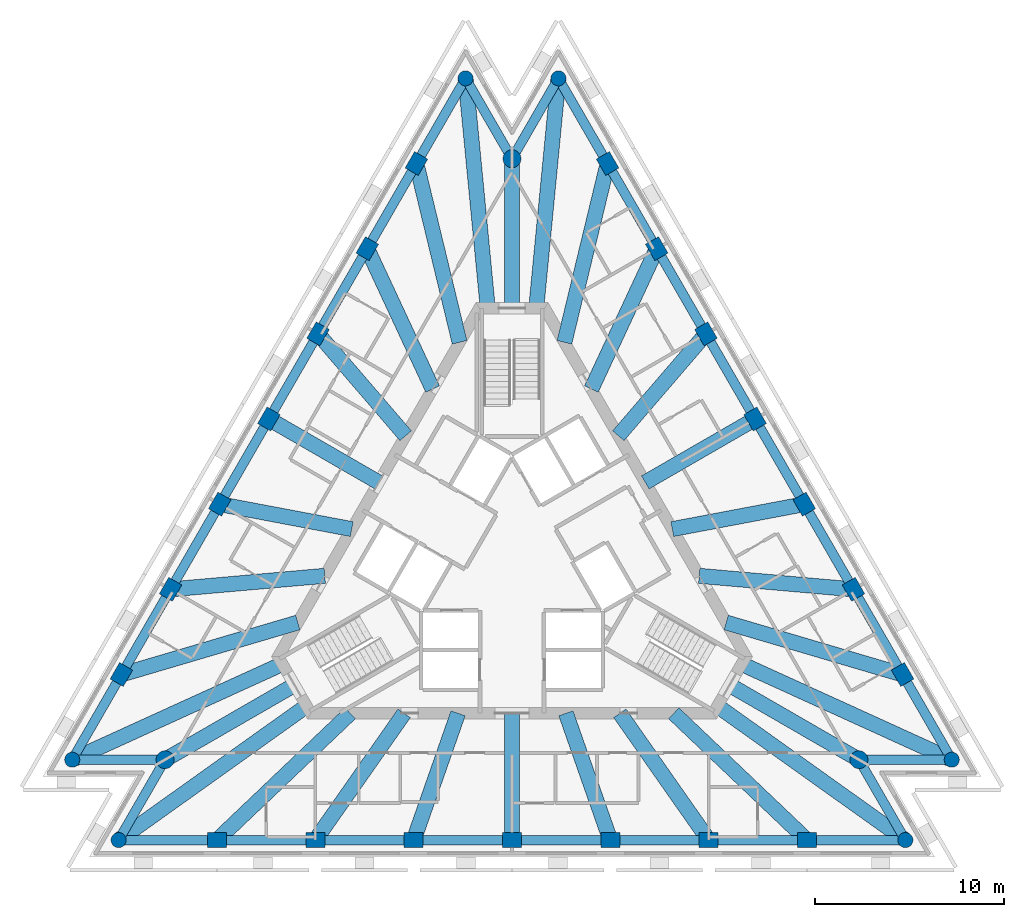
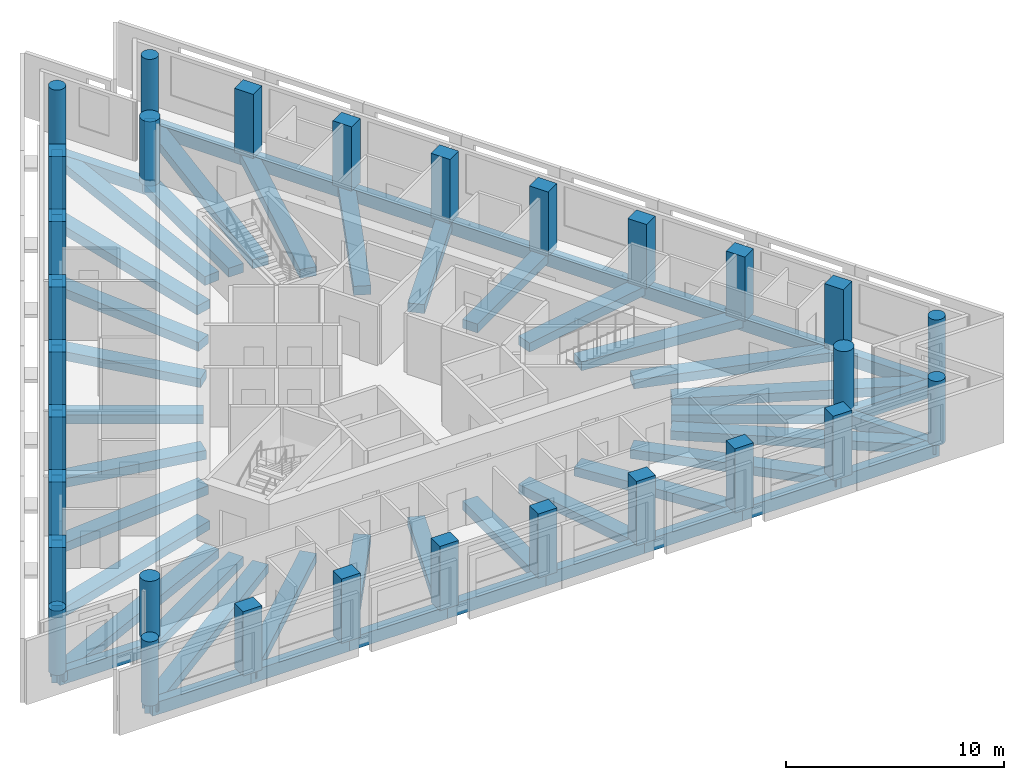
# One storey, part 1 of 10: 60 beams, 30 columns.
"""IFC4 building model written with IfcOpenShell, lengths in metres."""

from ifc_helpers import new_model, si_unit, direction, frame, origin, origin_2d, place, context, subcontext, project, spatial, rectangle, circle, extrude, material, material_profile, profile_set, type_object, element, save


model = new_model("IFC4")

# Units and contexts
model_context = context("Model", 3, precision=1e-05, world=origin(), true_north=direction((0.0, 1.0)))
body_context = subcontext(model_context, "Body", "Model", "MODEL_VIEW")
ifc_project = project(units=[si_unit("LENGTHUNIT", "METRE"), si_unit("AREAUNIT", "SQUARE_METRE"), si_unit("VOLUMEUNIT", "CUBIC_METRE"), si_unit("PLANEANGLEUNIT", "RADIAN"), si_unit("MASSUNIT", "GRAM", prefix="KILO")], contexts=[model_context])

# Site, building, storey
site_placement = place(None, origin())
site = spatial("IfcSite", under=ifc_project, at=site_placement, CompositionType="ELEMENT")
building_placement = place(site_placement, origin())
building = spatial("IfcBuilding", under=site, at=building_placement, Name="Triada Interchange Tower", CompositionType="ELEMENT")
storey_placement = place(building_placement, frame((0.0, 0.0, 311.5)))
storey = spatial("IfcBuildingStorey", under=building, at=storey_placement, Name="L74", CompositionType="ELEMENT", Elevation=311.5)

# Columns
ifc_material_1 = material(Name="Concrete C40/50", Category="concrete")
ifc_material_profile_1 = material_profile(ifc_material_1, rectangle(XDim=1.0, YDim=0.800048828125, at=origin_2d()), Name="RC 1000x800")
ifc_profile_set_1 = profile_set([ifc_material_profile_1], Name="Concrete C40/50")
column_type_1 = type_object("IfcColumnType", Name="Column D face RC 1000x800", PredefinedType="COLUMN", material=ifc_profile_set_1)
for number, where, z_axis, x_axis, name in (
    (1, (-5.06103515625, 20.9599609375, -0.300048828125), (0.0, 0.0, 1.0), (0.5, 0.866025403784, 0.0), "Column CD02 L74"),
    (2, (-7.6640625, 16.450927734375, -0.300048828125), (0.0, 0.0, 1.0), (0.5, 0.866025403784, 0.0), "Column CD03 L74"),
    (3, (-10.26806640625, 11.94091796875, -0.300048828125), (0.0, 0.0, 1.0), (0.5, 0.866025403784, 0.0), "Column CD04 L74"),
    (4, (-12.8720703125, 7.431884765625, -0.300048828125), (0.0, 0.0, 1.0), (0.5, 0.866025403784, 0.0), "Column CD05 L74"),
    (5, (-15.47509765625, 2.922119140625, -0.300048828125), (0.0, 0.0, 1.0), (0.5, 0.866025403784, 0.0), "Column CD06 L74"),
    (6, (-18.0791015625, -1.587890625, -0.300048828125), (0.0, 0.0, 1.0), (0.5, 0.866025403784, 0.0), "Column CD07 L74"),
    (7, (-20.681884765625, -6.096923828125, -0.300048828125), (0.0, 0.0, 1.0), (0.5, 0.866025403784, 0.0), "Column CD08 L74"),
    (8, (-15.6220703125, -14.863037109375, -0.300048828125), (0.0, 0.0, 1.0), (1.0, 0.0, 0.0), "Column CD11 L74"),
    (9, (-10.4140625, -14.863037109375, -0.300048828125), (0.0, 0.0, 1.0), (1.0, 0.0, 0.0), "Column CD12 L74"),
    (10, (-5.20703125, -14.863037109375, -0.300048828125), (0.0, 0.0, 1.0), (1.0, 0.0, 0.0), "Column CD13 L74"),
    (11, (0.0, -14.863037109375, -0.300048828125), (0.0, 0.0, 1.0), (1.0, 0.0, 0.0), "Column CD14 L74"),
    (12, (5.20703125, -14.863037109375, -0.300048828125), (0.0, 0.0, 1.0), (1.0, 0.0, 0.0), "Column CD15 L74"),
    (13, (10.4140625, -14.863037109375, -0.300048828125), (0.0, 0.0, 1.0), (1.0, 0.0, 0.0), "Column CD16 L74"),
    (14, (15.6220703125, -14.863037109375, -0.300048828125), (0.0, 0.0, 1.0), (1.0, 0.0, 0.0), "Column CD17 L74"),
    (15, (20.681884765625, -6.096923828125, -0.300048828125), (0.0, 0.0, 1.0), (-0.5, 0.866025403784, 0.0), "Column CD20 L74"),
    (16, (18.0791015625, -1.587890625, -0.300048828125), (0.0, 0.0, 1.0), (-0.5, 0.866025403784, 0.0), "Column CD21 L74"),
    (17, (15.47509765625, 2.922119140625, -0.300048828125), (0.0, 0.0, 1.0), (-0.5, 0.866025403784, 0.0), "Column CD22 L74"),
    (18, (12.8720703125, 7.431884765625, -0.300048828125), (0.0, 0.0, 1.0), (-0.5, 0.866025403784, 0.0), "Column CD23 L74"),
    (19, (10.26806640625, 11.94091796875, -0.300048828125), (0.0, 0.0, 1.0), (-0.5, 0.866025403784, 0.0), "Column CD24 L74"),
    (20, (7.6640625, 16.450927734375, -0.300048828125), (0.0, 0.0, 1.0), (-0.5, 0.866025403784, 0.0), "Column CD25 L74"),
    (21, (5.06103515625, 20.9599609375, -0.300048828125), (0.0, 0.0, 1.0), (-0.5, 0.866025403784, 0.0), "Column CD26 L74"),
):
    element("IfcColumn", number, at=place(storey_placement, frame(where, z_axis=z_axis, x_axis=x_axis)), inside=storey, type_object=column_type_1, Name=name, PredefinedType="COLUMN", context=body_context, shape_type="SweptSolid", body=[
        extrude(rectangle(XDim=1.0, YDim=0.800048828125, at=origin_2d()), origin(), (0.0, 0.0, 1.0), 3.60009765625),
    ])
ifc_material_profile_2 = material_profile(ifc_material_1, circle(Radius=0.39990234375, at=origin_2d()), Name="RC D800")
ifc_profile_set_2 = profile_set([ifc_material_profile_2], Name="Concrete C40/50")
column_type_2 = type_object("IfcColumnType", Name="End column D RC D800", PredefinedType="COLUMN", material=ifc_profile_set_2)
for number, where, z_axis, x_axis, name in (
    (22, (-2.45703125, 25.469970703125, -0.300048828125), (0.0, 0.0, 1.0), (0.5, 0.866025403784, 0.0), "Column CD01 L74"),
    (23, (-23.285888671875, -10.60693359375, -0.300048828125), (0.0, 0.0, 1.0), (0.5, 0.866025403784, 0.0), "Column CD09 L74"),
    (24, (-20.8291015625, -14.863037109375, -0.300048828125), (0.0, 0.0, 1.0), (1.0, 0.0, 0.0), "Column CD10 L74"),
    (25, (20.8291015625, -14.863037109375, -0.300048828125), (0.0, 0.0, 1.0), (1.0, 0.0, 0.0), "Column CD18 L74"),
    (26, (23.285888671875, -10.60693359375, -0.300048828125), (0.0, 0.0, 1.0), (-0.5, 0.866025403784, 0.0), "Column CD19 L74"),
    (27, (2.45703125, 25.469970703125, -0.300048828125), (0.0, 0.0, 1.0), (-0.5, 0.866025403784, 0.0), "Column CD27 L74"),
):
    element("IfcColumn", number, at=place(storey_placement, frame(where, z_axis=z_axis, x_axis=x_axis)), inside=storey, type_object=column_type_2, Name=name, PredefinedType="COLUMN", context=body_context, shape_type="SweptSolid", body=[
        extrude(circle(Radius=0.39990234375, at=origin_2d()), origin(), (0.0, 0.0, 1.0), 3.60009765625),
    ])
ifc_material_profile_3 = material_profile(ifc_material_1, circle(Radius=0.47509765625, at=origin_2d()), Name="RC D950")
ifc_profile_set_3 = profile_set([ifc_material_profile_3], Name="Concrete C40/50")
column_type_3 = type_object("IfcColumnType", Name="Mega column D RC D950", PredefinedType="COLUMN", material=ifc_profile_set_3)
for number, where, z_axis, x_axis, name in (
    (28, (0.0, 21.214111328125, -0.300048828125), (0.0, 0.0, 1.0), (1.0, 0.0, 0.0), "Column MD1 L74"),
    (29, (-18.3720703125, -10.60693359375, -0.300048828125), (0.0, 0.0, 1.0), (1.0, 0.0, 0.0), "Column MD2 L74"),
    (30, (18.3720703125, -10.60693359375, -0.300048828125), (0.0, 0.0, 1.0), (1.0, 0.0, 0.0), "Column MD3 L74"),
):
    element("IfcColumn", number, at=place(storey_placement, frame(where, z_axis=z_axis, x_axis=x_axis)), inside=storey, type_object=column_type_3, Name=name, PredefinedType="COLUMN", context=body_context, shape_type="SweptSolid", body=[
        extrude(circle(Radius=0.47509765625, at=origin_2d()), origin(), (0.0, 0.0, 1.0), 3.60009765625),
    ])

# Beams
ifc_material_2 = material(Name="Concrete C50/60", Category="concrete")
ifc_material_profile_4 = material_profile(ifc_material_2, rectangle(XDim=0.800048828125, YDim=0.5, at=origin_2d()), Name="RC 800x500")
ifc_profile_set_4 = profile_set([ifc_material_profile_4], Name="Concrete C50/60")
beam_type_1 = type_object("IfcBeamType", Name="Radial band beam D RC 800x500", PredefinedType="BEAM", material=ifc_profile_set_4)
beam_1_placement = place(storey_placement, frame((-2.45703125, 25.469970703125, -0.550048828125), z_axis=(0.09602744551, -0.995378686586, 0.0), x_axis=(0.995378686586, 0.09602744551, 0.0)))
element("IfcBeam", 31, at=beam_1_placement, inside=storey, type_object=beam_type_1, Name="Radial band beam BD01 L74", PredefinedType="BEAM", context=body_context, shape_type="SweptSolid", body=[
    extrude(rectangle(XDim=0.800048828125, YDim=0.5, at=origin_2d()), origin(), (0.0, 0.0, 1.0), 12.226318359375),
])
beam_2_placement = place(storey_placement, frame((-5.06103515625, 20.9599609375, -0.550048828125), z_axis=(0.234736099934, -0.972059135746, 0.0), x_axis=(0.972059135746, 0.234736099934, 0.0)))
element("IfcBeam", 32, at=beam_2_placement, inside=storey, type_object=beam_type_1, Name="Radial band beam BD02 L74", PredefinedType="BEAM", context=body_context, shape_type="SweptSolid", body=[
    extrude(rectangle(XDim=0.800048828125, YDim=0.5, at=origin_2d()), origin(), (0.0, 0.0, 1.0), 9.7392578125),
])
beam_3_placement = place(storey_placement, frame((-7.6640625, 16.450927734375, -0.550048828125), z_axis=(0.422272260862, -0.906469049503, 0.0), x_axis=(0.906469049503, 0.422272260862, 0.0)))
element("IfcBeam", 33, at=beam_3_placement, inside=storey, type_object=beam_type_1, Name="Radial band beam BD03 L74", PredefinedType="BEAM", context=body_context, shape_type="SweptSolid", body=[
    extrude(rectangle(XDim=0.800048828125, YDim=0.5, at=origin_2d()), origin(), (0.0, 0.0, 1.0), 8.196533203125),
])
beam_4_placement = place(storey_placement, frame((-10.26806640625, 11.94091796875, -0.550048828125), z_axis=(0.652068074726, -0.758160422288, 0.0), x_axis=(0.758160422288, 0.652068074726, 0.0)))
element("IfcBeam", 34, at=beam_4_placement, inside=storey, type_object=beam_type_1, Name="Radial band beam BD04 L74", PredefinedType="BEAM", context=body_context, shape_type="SweptSolid", body=[
    extrude(rectangle(XDim=0.800048828125, YDim=0.5, at=origin_2d()), origin(), (0.0, 0.0, 1.0), 7.113037109375),
])
beam_5_placement = place(storey_placement, frame((-12.8720703125, 7.431884765625, -0.550048828125), z_axis=(0.86600996069, -0.50002674727, 0.0), x_axis=(0.50002674727, 0.86600996069, 0.0)))
element("IfcBeam", 35, at=beam_5_placement, inside=storey, type_object=beam_type_1, Name="Radial band beam BD05 L74", PredefinedType="BEAM", context=body_context, shape_type="SweptSolid", body=[
    extrude(rectangle(XDim=0.800048828125, YDim=0.5, at=origin_2d()), origin(), (0.0, 0.0, 1.0), 6.713623046875),
])
beam_6_placement = place(storey_placement, frame((-15.47509765625, 2.922119140625, -0.550048828125), z_axis=(0.982626118803, -0.185596095447, 0.0), x_axis=(0.185596095447, 0.982626118803, 0.0)))
element("IfcBeam", 36, at=beam_6_placement, inside=storey, type_object=beam_type_1, Name="Radial band beam BD06 L74", PredefinedType="BEAM", context=body_context, shape_type="SweptSolid", body=[
    extrude(rectangle(XDim=0.800048828125, YDim=0.5, at=origin_2d()), origin(), (0.0, 0.0, 1.0), 7.112548828125),
])
beam_7_placement = place(storey_placement, frame((-18.0791015625, -1.587890625, -0.550048828125), z_axis=(0.996169628098, 0.087441820979, 0.0), x_axis=(-0.087441820979, 0.996169628098, 0.0)))
element("IfcBeam", 37, at=beam_7_placement, inside=storey, type_object=beam_type_1, Name="Radial band beam BD07 L74", PredefinedType="BEAM", context=body_context, shape_type="SweptSolid", body=[
    extrude(rectangle(XDim=0.800048828125, YDim=0.5, at=origin_2d()), origin(), (0.0, 0.0, 1.0), 8.197509765625),
])
beam_8_placement = place(storey_placement, frame((-20.681884765625, -6.096923828125, -0.550048828125), z_axis=(0.959181663984, 0.282790621269, 0.0), x_axis=(-0.282790621269, 0.959181663984, 0.0)))
element("IfcBeam", 38, at=beam_8_placement, inside=storey, type_object=beam_type_1, Name="Radial band beam BD08 L74", PredefinedType="BEAM", context=body_context, shape_type="SweptSolid", body=[
    extrude(rectangle(XDim=0.800048828125, YDim=0.5, at=origin_2d()), origin(), (0.0, 0.0, 1.0), 9.73828125),
])
beam_9_placement = place(storey_placement, frame((-23.285888671875, -10.60693359375, -0.550048828125), z_axis=(0.910039299284, 0.414521982238, 0.0), x_axis=(-0.414521982238, 0.910039299284, 0.0)))
element("IfcBeam", 39, at=beam_9_placement, inside=storey, type_object=beam_type_1, Name="Radial band beam BD09 L74", PredefinedType="BEAM", context=body_context, shape_type="SweptSolid", body=[
    extrude(rectangle(XDim=0.800048828125, YDim=0.5, at=origin_2d()), origin(), (0.0, 0.0, 1.0), 12.225830078125),
])
beam_10_placement = place(storey_placement, frame((-18.3720703125, -10.60693359375, -0.550048828125), z_axis=(0.866032502725, 0.499987704073, 0.0), x_axis=(-0.499987704073, 0.866032502725, 0.0)))
element("IfcBeam", 40, at=beam_10_placement, inside=storey, type_object=beam_type_1, Name="Radial band beam BD10 L74", PredefinedType="BEAM", context=body_context, shape_type="SweptSolid", body=[
    extrude(rectangle(XDim=0.800048828125, YDim=0.5, at=origin_2d()), origin(), (0.0, 0.0, 1.0), 7.914306640625),
])
beam_11_placement = place(storey_placement, frame((-20.8291015625, -14.863037109375, -0.550048828125), z_axis=(0.814016690787, 0.580841481922, 0.0), x_axis=(-0.580841481922, 0.814016690787, 0.0)))
element("IfcBeam", 41, at=beam_11_placement, inside=storey, type_object=beam_type_1, Name="Radial band beam BD11 L74", PredefinedType="BEAM", context=body_context, shape_type="SweptSolid", body=[
    extrude(rectangle(XDim=0.800048828125, YDim=0.5, at=origin_2d()), origin(), (0.0, 0.0, 1.0), 12.227294921875),
])
beam_12_placement = place(storey_placement, frame((-15.6220703125, -14.863037109375, -0.550048828125), z_axis=(0.724497300628, 0.689277637373, 0.0), x_axis=(-0.689277637373, 0.724497300628, 0.0)))
element("IfcBeam", 42, at=beam_12_placement, inside=storey, type_object=beam_type_1, Name="Radial band beam BD12 L74", PredefinedType="BEAM", context=body_context, shape_type="SweptSolid", body=[
    extrude(rectangle(XDim=0.800048828125, YDim=0.5, at=origin_2d()), origin(), (0.0, 0.0, 1.0), 9.7392578125),
])
beam_13_placement = place(storey_placement, frame((-10.4140625, -14.863037109375, -0.550048828125), z_axis=(0.573864049715, 0.818950579977, 0.0), x_axis=(-0.818950579977, 0.573864049715, 0.0)))
element("IfcBeam", 43, at=beam_13_placement, inside=storey, type_object=beam_type_1, Name="Radial band beam BD13 L74", PredefinedType="BEAM", context=body_context, shape_type="SweptSolid", body=[
    extrude(rectangle(XDim=0.800048828125, YDim=0.5, at=origin_2d()), origin(), (0.0, 0.0, 1.0), 8.197265625),
])
beam_14_placement = place(storey_placement, frame((-5.20703125, -14.863037109375, -0.550048828125), z_axis=(0.330657699543, 0.94375075403, 0.0), x_axis=(-0.94375075403, 0.330657699543, 0.0)))
element("IfcBeam", 44, at=beam_14_placement, inside=storey, type_object=beam_type_1, Name="Radial band beam BD14 L74", PredefinedType="BEAM", context=body_context, shape_type="SweptSolid", body=[
    extrude(rectangle(XDim=0.800048828125, YDim=0.5, at=origin_2d()), origin(), (0.0, 0.0, 1.0), 7.11328125),
])
beam_15_placement = place(storey_placement, frame((0.0, -14.863037109375, -0.550048828125), z_axis=(0.0, 1.0, 0.0), x_axis=(-1.0, 0.0, 0.0)))
element("IfcBeam", 45, at=beam_15_placement, inside=storey, type_object=beam_type_1, Name="Radial band beam BD15 L74", PredefinedType="BEAM", context=body_context, shape_type="SweptSolid", body=[
    extrude(rectangle(XDim=0.800048828125, YDim=0.5, at=origin_2d()), origin(), (0.0, 0.0, 1.0), 6.713134765625),
])
beam_16_placement = place(storey_placement, frame((5.20703125, -14.863037109375, -0.550048828125), z_axis=(-0.330657699543, 0.94375075403, 0.0), x_axis=(-0.94375075403, -0.330657699543, 0.0)))
element("IfcBeam", 46, at=beam_16_placement, inside=storey, type_object=beam_type_1, Name="Radial band beam BD16 L74", PredefinedType="BEAM", context=body_context, shape_type="SweptSolid", body=[
    extrude(rectangle(XDim=0.800048828125, YDim=0.5, at=origin_2d()), origin(), (0.0, 0.0, 1.0), 7.11328125),
])
beam_17_placement = place(storey_placement, frame((10.4140625, -14.863037109375, -0.550048828125), z_axis=(-0.573864049715, 0.818950579977, 0.0), x_axis=(-0.818950579977, -0.573864049715, 0.0)))
element("IfcBeam", 47, at=beam_17_placement, inside=storey, type_object=beam_type_1, Name="Radial band beam BD17 L74", PredefinedType="BEAM", context=body_context, shape_type="SweptSolid", body=[
    extrude(rectangle(XDim=0.800048828125, YDim=0.5, at=origin_2d()), origin(), (0.0, 0.0, 1.0), 8.197265625),
])
beam_18_placement = place(storey_placement, frame((15.6220703125, -14.863037109375, -0.550048828125), z_axis=(-0.724497300628, 0.689277637373, 0.0), x_axis=(-0.689277637373, -0.724497300628, 0.0)))
element("IfcBeam", 48, at=beam_18_placement, inside=storey, type_object=beam_type_1, Name="Radial band beam BD18 L74", PredefinedType="BEAM", context=body_context, shape_type="SweptSolid", body=[
    extrude(rectangle(XDim=0.800048828125, YDim=0.5, at=origin_2d()), origin(), (0.0, 0.0, 1.0), 9.7392578125),
])
beam_19_placement = place(storey_placement, frame((20.8291015625, -14.863037109375, -0.550048828125), z_axis=(-0.814016690787, 0.580841481922, 0.0), x_axis=(-0.580841481922, -0.814016690787, 0.0)))
element("IfcBeam", 49, at=beam_19_placement, inside=storey, type_object=beam_type_1, Name="Radial band beam BD19 L74", PredefinedType="BEAM", context=body_context, shape_type="SweptSolid", body=[
    extrude(rectangle(XDim=0.800048828125, YDim=0.5, at=origin_2d()), origin(), (0.0, 0.0, 1.0), 12.227294921875),
])
beam_20_placement = place(storey_placement, frame((18.3720703125, -10.60693359375, -0.550048828125), z_axis=(-0.866032502725, 0.499987704073, 0.0), x_axis=(-0.499987704073, -0.866032502725, 0.0)))
element("IfcBeam", 50, at=beam_20_placement, inside=storey, type_object=beam_type_1, Name="Radial band beam BD20 L74", PredefinedType="BEAM", context=body_context, shape_type="SweptSolid", body=[
    extrude(rectangle(XDim=0.800048828125, YDim=0.5, at=origin_2d()), origin(), (0.0, 0.0, 1.0), 7.914306640625),
])
beam_21_placement = place(storey_placement, frame((23.285888671875, -10.60693359375, -0.550048828125), z_axis=(-0.910039299284, 0.414521982238, 0.0), x_axis=(-0.414521982238, -0.910039299284, 0.0)))
element("IfcBeam", 51, at=beam_21_placement, inside=storey, type_object=beam_type_1, Name="Radial band beam BD21 L74", PredefinedType="BEAM", context=body_context, shape_type="SweptSolid", body=[
    extrude(rectangle(XDim=0.800048828125, YDim=0.5, at=origin_2d()), origin(), (0.0, 0.0, 1.0), 12.225830078125),
])
beam_22_placement = place(storey_placement, frame((20.681884765625, -6.096923828125, -0.550048828125), z_axis=(-0.959181663984, 0.282790621269, 0.0), x_axis=(-0.282790621269, -0.959181663984, 0.0)))
element("IfcBeam", 52, at=beam_22_placement, inside=storey, type_object=beam_type_1, Name="Radial band beam BD22 L74", PredefinedType="BEAM", context=body_context, shape_type="SweptSolid", body=[
    extrude(rectangle(XDim=0.800048828125, YDim=0.5, at=origin_2d()), origin(), (0.0, 0.0, 1.0), 9.73828125),
])
beam_23_placement = place(storey_placement, frame((18.0791015625, -1.587890625, -0.550048828125), z_axis=(-0.996169628098, 0.087441820979, 0.0), x_axis=(-0.087441820979, -0.996169628098, 0.0)))
element("IfcBeam", 53, at=beam_23_placement, inside=storey, type_object=beam_type_1, Name="Radial band beam BD23 L74", PredefinedType="BEAM", context=body_context, shape_type="SweptSolid", body=[
    extrude(rectangle(XDim=0.800048828125, YDim=0.5, at=origin_2d()), origin(), (0.0, 0.0, 1.0), 8.197509765625),
])
beam_24_placement = place(storey_placement, frame((15.47509765625, 2.922119140625, -0.550048828125), z_axis=(-0.982626118803, -0.185596095447, 0.0), x_axis=(0.185596095447, -0.982626118803, 0.0)))
element("IfcBeam", 54, at=beam_24_placement, inside=storey, type_object=beam_type_1, Name="Radial band beam BD24 L74", PredefinedType="BEAM", context=body_context, shape_type="SweptSolid", body=[
    extrude(rectangle(XDim=0.800048828125, YDim=0.5, at=origin_2d()), origin(), (0.0, 0.0, 1.0), 7.112548828125),
])
beam_25_placement = place(storey_placement, frame((12.8720703125, 7.431884765625, -0.550048828125), z_axis=(-0.86600996069, -0.50002674727, 0.0), x_axis=(0.50002674727, -0.86600996069, 0.0)))
element("IfcBeam", 55, at=beam_25_placement, inside=storey, type_object=beam_type_1, Name="Radial band beam BD25 L74", PredefinedType="BEAM", context=body_context, shape_type="SweptSolid", body=[
    extrude(rectangle(XDim=0.800048828125, YDim=0.5, at=origin_2d()), origin(), (0.0, 0.0, 1.0), 6.713623046875),
])
beam_26_placement = place(storey_placement, frame((10.26806640625, 11.94091796875, -0.550048828125), z_axis=(-0.652068074726, -0.758160422288, 0.0), x_axis=(0.758160422288, -0.652068074726, 0.0)))
element("IfcBeam", 56, at=beam_26_placement, inside=storey, type_object=beam_type_1, Name="Radial band beam BD26 L74", PredefinedType="BEAM", context=body_context, shape_type="SweptSolid", body=[
    extrude(rectangle(XDim=0.800048828125, YDim=0.5, at=origin_2d()), origin(), (0.0, 0.0, 1.0), 7.113037109375),
])
beam_27_placement = place(storey_placement, frame((7.6640625, 16.450927734375, -0.550048828125), z_axis=(-0.422272260862, -0.906469049503, 0.0), x_axis=(0.906469049503, -0.422272260862, 0.0)))
element("IfcBeam", 57, at=beam_27_placement, inside=storey, type_object=beam_type_1, Name="Radial band beam BD27 L74", PredefinedType="BEAM", context=body_context, shape_type="SweptSolid", body=[
    extrude(rectangle(XDim=0.800048828125, YDim=0.5, at=origin_2d()), origin(), (0.0, 0.0, 1.0), 8.196533203125),
])
beam_28_placement = place(storey_placement, frame((5.06103515625, 20.9599609375, -0.550048828125), z_axis=(-0.234736099934, -0.972059135746, 0.0), x_axis=(0.972059135746, -0.234736099934, 0.0)))
element("IfcBeam", 58, at=beam_28_placement, inside=storey, type_object=beam_type_1, Name="Radial band beam BD28 L74", PredefinedType="BEAM", context=body_context, shape_type="SweptSolid", body=[
    extrude(rectangle(XDim=0.800048828125, YDim=0.5, at=origin_2d()), origin(), (0.0, 0.0, 1.0), 9.7392578125),
])
beam_29_placement = place(storey_placement, frame((2.45703125, 25.469970703125, -0.550048828125), z_axis=(-0.09602744551, -0.995378686586, 0.0), x_axis=(0.995378686586, -0.09602744551, 0.0)))
element("IfcBeam", 59, at=beam_29_placement, inside=storey, type_object=beam_type_1, Name="Radial band beam BD29 L74", PredefinedType="BEAM", context=body_context, shape_type="SweptSolid", body=[
    extrude(rectangle(XDim=0.800048828125, YDim=0.5, at=origin_2d()), origin(), (0.0, 0.0, 1.0), 12.226318359375),
])
beam_30_placement = place(storey_placement, frame((0.0, 21.214111328125, -0.550048828125), z_axis=(0.0, -1.0, 0.0), x_axis=(1.0, 0.0, 0.0)))
element("IfcBeam", 60, at=beam_30_placement, inside=storey, type_object=beam_type_1, Name="Radial band beam BD30 L74", PredefinedType="BEAM", context=body_context, shape_type="SweptSolid", body=[
    extrude(rectangle(XDim=0.800048828125, YDim=0.5, at=origin_2d()), origin(), (0.0, 0.0, 1.0), 7.9140625),
])
ifc_material_profile_5 = material_profile(ifc_material_2, rectangle(XDim=0.5, YDim=0.699951171875, at=origin_2d()), Name="RC 500x700")
ifc_profile_set_5 = profile_set([ifc_material_profile_5], Name="Concrete C50/60")
beam_type_2 = type_object("IfcBeamType", Name="Spandrel beam D RC 500x700", PredefinedType="BEAM", material=ifc_profile_set_5)
beam_31_placement = place(storey_placement, frame((-2.45703125, 25.469970703125, -0.64990234375), z_axis=(-0.500021393879, -0.866013051671, 0.0), x_axis=(0.866013051671, -0.500021393879, 0.0)))
element("IfcBeam", 61, at=beam_31_placement, inside=storey, type_object=beam_type_2, Name="Spandrel beam ED01 L74", PredefinedType="BEAM", context=body_context, shape_type="SweptSolid", body=[
    extrude(rectangle(XDim=0.5, YDim=0.699951171875, at=origin_2d()), origin(), (0.0, 0.0, 1.0), 5.207763671875),
])
beam_32_placement = place(storey_placement, frame((-5.06103515625, 20.9599609375, -0.64990234375), z_axis=(-0.499961942423, -0.866047375222, 0.0), x_axis=(0.866047375222, -0.499961942423, 0.0)))
element("IfcBeam", 62, at=beam_32_placement, inside=storey, type_object=beam_type_2, Name="Spandrel beam ED02 L74", PredefinedType="BEAM", context=body_context, shape_type="SweptSolid", body=[
    extrude(rectangle(XDim=0.5, YDim=0.699951171875, at=origin_2d()), origin(), (0.0, 0.0, 1.0), 5.20654296875),
])
beam_33_placement = place(storey_placement, frame((-7.6640625, 16.450927734375, -0.64990234375), z_axis=(-0.500021393879, -0.866013051671, 0.0), x_axis=(0.866013051671, -0.500021393879, 0.0)))
element("IfcBeam", 63, at=beam_33_placement, inside=storey, type_object=beam_type_2, Name="Spandrel beam ED03 L74", PredefinedType="BEAM", context=body_context, shape_type="SweptSolid", body=[
    extrude(rectangle(XDim=0.5, YDim=0.699951171875, at=origin_2d()), origin(), (0.0, 0.0, 1.0), 5.207763671875),
])
for number, where, z_axis, x_axis, name in (
    (64, (-10.26806640625, 11.94091796875, -0.64990234375), (-0.500102605615, -0.8659661563, 0.0), (0.8659661563, -0.500102605615, 0.0), "Spandrel beam ED04 L74"),
    (65, (-12.8720703125, 7.431884765625, -0.64990234375), (-0.499901037272, -0.866082532404, 0.0), (0.866082532404, -0.499901037272, 0.0), "Spandrel beam ED05 L74"),
):
    element("IfcBeam", number, at=place(storey_placement, frame(where, z_axis=z_axis, x_axis=x_axis)), inside=storey, type_object=beam_type_2, Name=name, PredefinedType="BEAM", context=body_context, shape_type="SweptSolid", body=[
        extrude(rectangle(XDim=0.5, YDim=0.699951171875, at=origin_2d()), origin(), (0.0, 0.0, 1.0), 5.20703125),
    ])
beam_34_placement = place(storey_placement, frame((-15.47509765625, 2.922119140625, -0.64990234375), z_axis=(-0.500021393879, -0.866013051671, 0.0), x_axis=(0.866013051671, -0.500021393879, 0.0)))
element("IfcBeam", 66, at=beam_34_placement, inside=storey, type_object=beam_type_2, Name="Spandrel beam ED06 L74", PredefinedType="BEAM", context=body_context, shape_type="SweptSolid", body=[
    extrude(rectangle(XDim=0.5, YDim=0.699951171875, at=origin_2d()), origin(), (0.0, 0.0, 1.0), 5.207763671875),
])
beam_35_placement = place(storey_placement, frame((-18.0791015625, -1.587890625, -0.64990234375), z_axis=(-0.499926770441, -0.866067678762, 0.0), x_axis=(0.866067678762, -0.499926770441, 0.0)))
element("IfcBeam", 67, at=beam_35_placement, inside=storey, type_object=beam_type_2, Name="Spandrel beam ED07 L74", PredefinedType="BEAM", context=body_context, shape_type="SweptSolid", body=[
    extrude(rectangle(XDim=0.5, YDim=0.699951171875, at=origin_2d()), origin(), (0.0, 0.0, 1.0), 5.206298828125),
])
beam_36_placement = place(storey_placement, frame((-20.681884765625, -6.096923828125, -0.64990234375), z_axis=(-0.500021393879, -0.866013051671, 0.0), x_axis=(0.866013051671, -0.500021393879, 0.0)))
element("IfcBeam", 68, at=beam_36_placement, inside=storey, type_object=beam_type_2, Name="Spandrel beam ED08 L74", PredefinedType="BEAM", context=body_context, shape_type="SweptSolid", body=[
    extrude(rectangle(XDim=0.5, YDim=0.699951171875, at=origin_2d()), origin(), (0.0, 0.0, 1.0), 5.207763671875),
])
beam_37_placement = place(storey_placement, frame((-23.285888671875, -10.60693359375, -0.64990234375), z_axis=(1.0, 0.0, 0.0), x_axis=(0.0, 1.0, 0.0)))
element("IfcBeam", 69, at=beam_37_placement, inside=storey, type_object=beam_type_2, Name="Spandrel beam ED09 L74", PredefinedType="BEAM", context=body_context, shape_type="SweptSolid", body=[
    extrude(rectangle(XDim=0.5, YDim=0.699951171875, at=origin_2d()), origin(), (0.0, 0.0, 1.0), 4.913818359375),
])
beam_38_placement = place(storey_placement, frame((-18.3720703125, -10.60693359375, -0.64990234375), z_axis=(-0.499964706364, -0.866045779616, 0.0), x_axis=(0.866045779616, -0.499964706364, 0.0)))
element("IfcBeam", 70, at=beam_38_placement, inside=storey, type_object=beam_type_2, Name="Spandrel beam ED10 L74", PredefinedType="BEAM", context=body_context, shape_type="SweptSolid", body=[
    extrude(rectangle(XDim=0.5, YDim=0.699951171875, at=origin_2d()), origin(), (0.0, 0.0, 1.0), 4.914306640625),
])
beam_39_placement = place(storey_placement, frame((-20.8291015625, -14.863037109375, -0.64990234375), z_axis=(1.0, 0.0, 0.0), x_axis=(0.0, 1.0, 0.0)))
element("IfcBeam", 71, at=beam_39_placement, inside=storey, type_object=beam_type_2, Name="Spandrel beam ED11 L74", PredefinedType="BEAM", context=body_context, shape_type="SweptSolid", body=[
    extrude(rectangle(XDim=0.5, YDim=0.699951171875, at=origin_2d()), origin(), (0.0, 0.0, 1.0), 5.20703125),
])
beam_40_placement = place(storey_placement, frame((-15.6220703125, -14.863037109375, -0.64990234375), z_axis=(1.0, 0.0, 0.0), x_axis=(0.0, 1.0, 0.0)))
element("IfcBeam", 72, at=beam_40_placement, inside=storey, type_object=beam_type_2, Name="Spandrel beam ED12 L74", PredefinedType="BEAM", context=body_context, shape_type="SweptSolid", body=[
    extrude(rectangle(XDim=0.5, YDim=0.699951171875, at=origin_2d()), origin(), (0.0, 0.0, 1.0), 5.2080078125),
])
for number, where, z_axis, x_axis, name in (
    (73, (-10.4140625, -14.863037109375, -0.64990234375), (1.0, 0.0, 0.0), (0.0, 1.0, 0.0), "Spandrel beam ED13 L74"),
    (74, (-5.20703125, -14.863037109375, -0.64990234375), (1.0, 0.0, 0.0), (0.0, 1.0, 0.0), "Spandrel beam ED14 L74"),
    (75, (0.0, -14.863037109375, -0.64990234375), (1.0, 0.0, 0.0), (0.0, 1.0, 0.0), "Spandrel beam ED15 L74"),
    (76, (5.20703125, -14.863037109375, -0.64990234375), (1.0, 0.0, 0.0), (0.0, 1.0, 0.0), "Spandrel beam ED16 L74"),
):
    element("IfcBeam", number, at=place(storey_placement, frame(where, z_axis=z_axis, x_axis=x_axis)), inside=storey, type_object=beam_type_2, Name=name, PredefinedType="BEAM", context=body_context, shape_type="SweptSolid", body=[
        extrude(rectangle(XDim=0.5, YDim=0.699951171875, at=origin_2d()), origin(), (0.0, 0.0, 1.0), 5.20703125),
    ])
beam_41_placement = place(storey_placement, frame((10.4140625, -14.863037109375, -0.64990234375), z_axis=(1.0, 0.0, 0.0), x_axis=(0.0, 1.0, 0.0)))
element("IfcBeam", 77, at=beam_41_placement, inside=storey, type_object=beam_type_2, Name="Spandrel beam ED17 L74", PredefinedType="BEAM", context=body_context, shape_type="SweptSolid", body=[
    extrude(rectangle(XDim=0.5, YDim=0.699951171875, at=origin_2d()), origin(), (0.0, 0.0, 1.0), 5.2080078125),
])
beam_42_placement = place(storey_placement, frame((15.6220703125, -14.863037109375, -0.64990234375), z_axis=(1.0, 0.0, 0.0), x_axis=(0.0, 1.0, 0.0)))
element("IfcBeam", 78, at=beam_42_placement, inside=storey, type_object=beam_type_2, Name="Spandrel beam ED18 L74", PredefinedType="BEAM", context=body_context, shape_type="SweptSolid", body=[
    extrude(rectangle(XDim=0.5, YDim=0.699951171875, at=origin_2d()), origin(), (0.0, 0.0, 1.0), 5.20703125),
])
beam_43_placement = place(storey_placement, frame((20.8291015625, -14.863037109375, -0.64990234375), z_axis=(-0.499964706364, 0.866045779616, 0.0), x_axis=(-0.866045779616, -0.499964706364, 0.0)))
element("IfcBeam", 79, at=beam_43_placement, inside=storey, type_object=beam_type_2, Name="Spandrel beam ED19 L74", PredefinedType="BEAM", context=body_context, shape_type="SweptSolid", body=[
    extrude(rectangle(XDim=0.5, YDim=0.699951171875, at=origin_2d()), origin(), (0.0, 0.0, 1.0), 4.914306640625),
])
beam_44_placement = place(storey_placement, frame((18.3720703125, -10.60693359375, -0.64990234375), z_axis=(1.0, 0.0, 0.0), x_axis=(0.0, 1.0, 0.0)))
element("IfcBeam", 80, at=beam_44_placement, inside=storey, type_object=beam_type_2, Name="Spandrel beam ED20 L74", PredefinedType="BEAM", context=body_context, shape_type="SweptSolid", body=[
    extrude(rectangle(XDim=0.5, YDim=0.699951171875, at=origin_2d()), origin(), (0.0, 0.0, 1.0), 4.913818359375),
])
beam_45_placement = place(storey_placement, frame((23.285888671875, -10.60693359375, -0.64990234375), z_axis=(-0.500021393879, 0.866013051671, 0.0), x_axis=(-0.866013051671, -0.500021393879, 0.0)))
element("IfcBeam", 81, at=beam_45_placement, inside=storey, type_object=beam_type_2, Name="Spandrel beam ED21 L74", PredefinedType="BEAM", context=body_context, shape_type="SweptSolid", body=[
    extrude(rectangle(XDim=0.5, YDim=0.699951171875, at=origin_2d()), origin(), (0.0, 0.0, 1.0), 5.207763671875),
])
beam_46_placement = place(storey_placement, frame((20.681884765625, -6.096923828125, -0.64990234375), z_axis=(-0.499926770441, 0.866067678762, 0.0), x_axis=(-0.866067678762, -0.499926770441, 0.0)))
element("IfcBeam", 82, at=beam_46_placement, inside=storey, type_object=beam_type_2, Name="Spandrel beam ED22 L74", PredefinedType="BEAM", context=body_context, shape_type="SweptSolid", body=[
    extrude(rectangle(XDim=0.5, YDim=0.699951171875, at=origin_2d()), origin(), (0.0, 0.0, 1.0), 5.206298828125),
])
beam_47_placement = place(storey_placement, frame((18.0791015625, -1.587890625, -0.64990234375), z_axis=(-0.500021393879, 0.866013051671, 0.0), x_axis=(-0.866013051671, -0.500021393879, 0.0)))
element("IfcBeam", 83, at=beam_47_placement, inside=storey, type_object=beam_type_2, Name="Spandrel beam ED23 L74", PredefinedType="BEAM", context=body_context, shape_type="SweptSolid", body=[
    extrude(rectangle(XDim=0.5, YDim=0.699951171875, at=origin_2d()), origin(), (0.0, 0.0, 1.0), 5.207763671875),
])
for number, where, z_axis, x_axis, name in (
    (84, (15.47509765625, 2.922119140625, -0.64990234375), (-0.499901037272, 0.866082532404, 0.0), (-0.866082532404, -0.499901037272, 0.0), "Spandrel beam ED24 L74"),
    (85, (12.8720703125, 7.431884765625, -0.64990234375), (-0.500102605615, 0.8659661563, 0.0), (-0.8659661563, -0.500102605615, 0.0), "Spandrel beam ED25 L74"),
):
    element("IfcBeam", number, at=place(storey_placement, frame(where, z_axis=z_axis, x_axis=x_axis)), inside=storey, type_object=beam_type_2, Name=name, PredefinedType="BEAM", context=body_context, shape_type="SweptSolid", body=[
        extrude(rectangle(XDim=0.5, YDim=0.699951171875, at=origin_2d()), origin(), (0.0, 0.0, 1.0), 5.20703125),
    ])
beam_48_placement = place(storey_placement, frame((10.26806640625, 11.94091796875, -0.64990234375), z_axis=(-0.500021393879, 0.866013051671, 0.0), x_axis=(-0.866013051671, -0.500021393879, 0.0)))
element("IfcBeam", 86, at=beam_48_placement, inside=storey, type_object=beam_type_2, Name="Spandrel beam ED26 L74", PredefinedType="BEAM", context=body_context, shape_type="SweptSolid", body=[
    extrude(rectangle(XDim=0.5, YDim=0.699951171875, at=origin_2d()), origin(), (0.0, 0.0, 1.0), 5.207763671875),
])
beam_49_placement = place(storey_placement, frame((7.6640625, 16.450927734375, -0.64990234375), z_axis=(-0.499961942423, 0.866047375222, 0.0), x_axis=(-0.866047375222, -0.499961942423, 0.0)))
element("IfcBeam", 87, at=beam_49_placement, inside=storey, type_object=beam_type_2, Name="Spandrel beam ED27 L74", PredefinedType="BEAM", context=body_context, shape_type="SweptSolid", body=[
    extrude(rectangle(XDim=0.5, YDim=0.699951171875, at=origin_2d()), origin(), (0.0, 0.0, 1.0), 5.20654296875),
])
beam_50_placement = place(storey_placement, frame((5.06103515625, 20.9599609375, -0.64990234375), z_axis=(-0.500021393879, 0.866013051671, 0.0), x_axis=(-0.866013051671, -0.500021393879, 0.0)))
element("IfcBeam", 88, at=beam_50_placement, inside=storey, type_object=beam_type_2, Name="Spandrel beam ED28 L74", PredefinedType="BEAM", context=body_context, shape_type="SweptSolid", body=[
    extrude(rectangle(XDim=0.5, YDim=0.699951171875, at=origin_2d()), origin(), (0.0, 0.0, 1.0), 5.207763671875),
])
for number, where, z_axis, x_axis, name in (
    (89, (2.45703125, 25.469970703125, -0.64990234375), (-0.499986217557, -0.866033360935, 0.0), (0.866033360935, -0.499986217557, 0.0), "Spandrel beam ED29 L74"),
    (90, (0.0, 21.214111328125, -0.64990234375), (-0.499986217557, 0.866033360935, 0.0), (-0.866033360935, -0.499986217557, 0.0), "Spandrel beam ED30 L74"),
):
    element("IfcBeam", number, at=place(storey_placement, frame(where, z_axis=z_axis, x_axis=x_axis)), inside=storey, type_object=beam_type_2, Name=name, PredefinedType="BEAM", context=body_context, shape_type="SweptSolid", body=[
        extrude(rectangle(XDim=0.5, YDim=0.699951171875, at=origin_2d()), origin(), (0.0, 0.0, 1.0), 4.914306640625),
    ])

save(model, "model.ifc")
